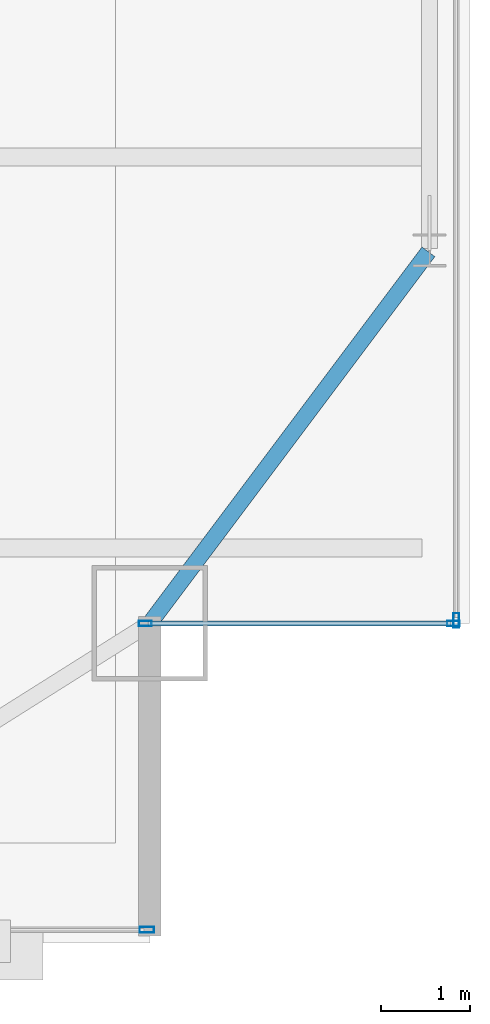
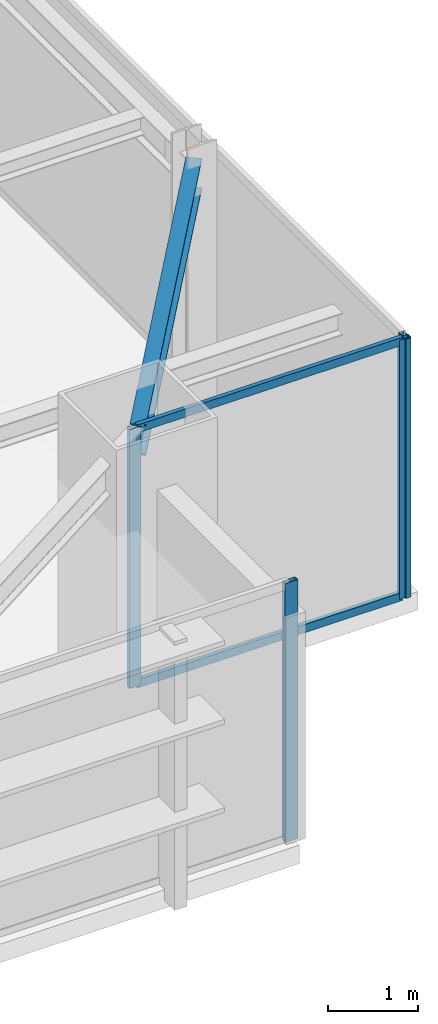
# One storey, part 15 of 29: 6 members, 1 beam, 3 elements without a shape of their own.
"""IFC4 building model written with IfcOpenShell, lengths in metres."""

from ifc_helpers import new_model, si_unit, direction, frame, origin, origin_2d, place, context, subcontext, project, spatial, hollow_rectangle, i_section, extrude, source, transform, mapped, material, layer, layer_set, material_profile, profile_set, type_object, type_shapes, element, aggregate, save


model = new_model("IFC4")

# Units and contexts
model_context = context("Model", 3, precision=1e-05, world=origin(), true_north=direction((0.0, 1.0)))
body_context = subcontext(model_context, "Body", "Model", "MODEL_VIEW")
ifc_project = project(units=[si_unit("LENGTHUNIT", "METRE"), si_unit("AREAUNIT", "SQUARE_METRE"), si_unit("VOLUMEUNIT", "CUBIC_METRE"), si_unit("PLANEANGLEUNIT", "RADIAN"), si_unit("MASSUNIT", "GRAM", prefix="KILO")], contexts=[model_context])

# Site, building, storey
site_placement = place(None, origin())
site = spatial("IfcSite", under=ifc_project, at=site_placement, CompositionType="ELEMENT")
building_placement = place(site_placement, origin())
building = spatial("IfcBuilding", under=site, at=building_placement, Name="Varnel Quay Broadcast Tower", CompositionType="ELEMENT")
storey_placement = place(building_placement, frame((0.0, 0.0, 187.60009765625)))
storey = spatial("IfcBuildingStorey", under=building, at=storey_placement, Name="L46", CompositionType="ELEMENT", Elevation=187.60009765625)

# Beam
ifc_material_1 = material(Name="Structural Steel CSA G40.21 350W", Category="steel")
ifc_material_profile_1 = material_profile(ifc_material_1, i_section(OverallWidth=0.180908203125, OverallDepth=0.4169921875, WebThickness=0.010986328125, FlangeThickness=0.018310546875, FilletRadius=0.011962890625, at=origin_2d()), Name="W410X85")
ifc_profile_set_1 = profile_set([ifc_material_profile_1], Name="Structural Steel CSA G40.21 350W")
beam_type = type_object("IfcBeamType", Name="Beam_W410X85", PredefinedType="SPANDREL", material=ifc_profile_set_1)
shared_shape_1 = source(origin(), body_context, "Body", "SweptSolid", [
    extrude(i_section(OverallWidth=0.180908203125, OverallDepth=0.4169921875, WebThickness=0.010986328125, FlangeThickness=0.018310546875, FilletRadius=0.011962890625, at=origin_2d()), origin(), (0.0, 0.0, 1.0), 5.2099609375),
])
type_shapes(beam_type, [shared_shape_1])
beam_placement = place(storey_placement, frame((57.412109375, 10.81591796875, 3.3115234375), z_axis=(0.6, 0.8, 0.0), x_axis=(-0.8, 0.6, 0.0)))
element("IfcBeam", 1, at=beam_placement, inside=storey, type_object=beam_type, Name="L46 East Spandrel MC-SE-TC-E1", PredefinedType="SPANDREL", context=body_context, shape_type="MappedRepresentation", body=[
    mapped(shared_shape_1, transform((0.0, 0.0, 0.0), x_axis=(1.0, 0.0, 0.0), y_axis=(0.0, 1.0, 0.0), z_axis=(0.0, 0.0, 1.0), scale=1.0)),
])

# Curtain wall, members
ifc_material_2 = material(Name="Anodised Bronze Aluminium 6063-T6", Category="aluminium")
ifc_layer_1 = layer(ifc_material_2, 0.18994140625, Name="Anodised Bronze Aluminium 6063-T6")
ifc_layer_set_1 = layer_set([ifc_layer_1], Name="Anodised Bronze Aluminium 6063-T6")
curtain_wall_type_1 = type_object("IfcCurtainWallType", Name="CW_NotchCorner", PredefinedType="NOTDEFINED", material=ifc_layer_set_1)
curtain_wall_1_placement = place(storey_placement, origin())
curtain_wall_1 = element("IfcCurtainWall", 2, at=curtain_wall_1_placement, inside=storey, type_object=curtain_wall_type_1, Name="L46 SE Notch Curtain Wall", PredefinedType="NOTDEFINED")
ifc_material_profile_2 = material_profile(ifc_material_2, hollow_rectangle(XDim=0.054931640625, YDim=0.110107421875, WallThickness=0.0029296875, at=origin_2d()), Name="ALU55X110X3")
ifc_profile_set_2 = profile_set([ifc_material_profile_2], Name="Anodised Bronze Aluminium 6063-T6")
member_type_1 = type_object("IfcMemberType", Name="Tran_CWS-04", PredefinedType="USERDEFINED", material=ifc_profile_set_2)
shared_shape_2 = source(origin(), body_context, "Body", "SweptSolid", [
    extrude(hollow_rectangle(XDim=0.054931640625, YDim=0.110107421875, WallThickness=0.0029296875, at=origin_2d()), origin(), (0.0, 0.0, 1.0), 3.41015625),
])
type_shapes(member_type_1, [shared_shape_2])
member_1_placement = place(storey_placement, frame((57.3798828125, 10.800048828125, 0.02734375), z_axis=(1.0, 0.0, 0.0), x_axis=(0.0, 1.0, 0.0)))
member_1 = element("IfcMember", 3, at=member_1_placement, type_object=member_type_1, Name="CWS-04 transom 1.1", ObjectType="TRANSOM", PredefinedType="USERDEFINED", context=body_context, shape_type="MappedRepresentation", body=[
    mapped(shared_shape_2, transform((0.0, 0.0, 0.0), x_axis=(1.0, 0.0, 0.0), y_axis=(0.0, 1.0, 0.0), z_axis=(0.0, 0.0, 1.0), scale=1.0)),
])
member_2_placement = place(storey_placement, frame((57.3798828125, 10.800048828125, 3.492431640625), z_axis=(1.0, 0.0, 0.0), x_axis=(0.0, 1.0, 0.0)))
member_2 = element("IfcMember", 4, at=member_2_placement, type_object=member_type_1, Name="CWS-04 transom 1.2", ObjectType="TRANSOM", PredefinedType="USERDEFINED", context=body_context, shape_type="MappedRepresentation", body=[
    mapped(shared_shape_2, transform((0.0, 0.0, 0.0), x_axis=(1.0, 0.0, 0.0), y_axis=(0.0, 1.0, 0.0), z_axis=(0.0, 0.0, 1.0), scale=1.0)),
])
ifc_material_profile_3 = material_profile(ifc_material_2, hollow_rectangle(XDim=0.06005859375, YDim=0.14501953125, WallThickness=0.00341796875, at=origin_2d()), Name="ALU60X145X3.5")
ifc_profile_set_3 = profile_set([ifc_material_profile_3], Name="Anodised Bronze Aluminium 6063-T6")
member_type_2 = type_object("IfcMemberType", Name="Mull_CWS-04", PredefinedType="MULLION", material=ifc_profile_set_3)
shared_shape_3 = source(origin(), body_context, "Body", "SweptSolid", [
    extrude(hollow_rectangle(XDim=0.06005859375, YDim=0.14501953125, WallThickness=0.00341796875, at=origin_2d()), origin(), (0.0, 0.0, 1.0), 3.52001953125),
])
type_shapes(member_type_2, [shared_shape_3])
member_3_placement = place(storey_placement, frame((57.35009765625, 10.800048828125, 0.0), z_axis=(0.0, 0.0, 1.0), x_axis=(0.0, 1.0, 0.0)))
member_3 = element("IfcMember", 5, at=member_3_placement, type_object=member_type_2, Name="CWS-04 mullion 1", PredefinedType="MULLION", context=body_context, shape_type="MappedRepresentation", body=[
    mapped(shared_shape_3, transform((0.0, 0.0, 0.0), x_axis=(1.0, 0.0, 0.0), y_axis=(0.0, 1.0, 0.0), z_axis=(0.0, 0.0, 1.0), scale=1.0)),
])
member_4_placement = place(storey_placement, frame((60.820068359375, 10.800048828125, 0.0), z_axis=(0.0, 0.0, 1.0), x_axis=(0.0, 1.0, 0.0)))
member_4 = element("IfcMember", 6, at=member_4_placement, type_object=member_type_2, Name="CWS-04 mullion 2", PredefinedType="MULLION", context=body_context, shape_type="MappedRepresentation", body=[
    mapped(shared_shape_3, transform((0.0, 0.0, 0.0), x_axis=(1.0, 0.0, 0.0), y_axis=(0.0, 1.0, 0.0), z_axis=(0.0, 0.0, 1.0), scale=1.0)),
])
aggregate(curtain_wall_1, [member_3, member_4, member_1, member_2])

# Curtain wall, member
ifc_layer_2 = layer(ifc_material_2, 0.18994140625, Name="Anodised Bronze Aluminium 6063-T6")
ifc_layer_set_2 = layer_set([ifc_layer_2], Name="Anodised Bronze Aluminium 6063-T6")
curtain_wall_type_2 = type_object("IfcCurtainWallType", Name="CW_UpperTower", PredefinedType="NOTDEFINED", material=ifc_layer_set_2)
curtain_wall_2_placement = place(storey_placement, origin())
curtain_wall_2 = element("IfcCurtainWall", 7, at=curtain_wall_2_placement, inside=storey, type_object=curtain_wall_type_2, Name="L46 South Unitised Curtain Wall 1", PredefinedType="NOTDEFINED")
ifc_material_profile_4 = material_profile(ifc_material_2, hollow_rectangle(XDim=0.06494140625, YDim=0.1650390625, WallThickness=0.00341796875, at=origin_2d()), Name="ALU65X165X3.5")
ifc_profile_set_4 = profile_set([ifc_material_profile_4], Name="Anodised Bronze Aluminium 6063-T6")
member_type_3 = type_object("IfcMemberType", Name="Mull_CWS-03", PredefinedType="MULLION", material=ifc_profile_set_4)
shared_shape_4 = source(origin(), body_context, "Body", "SweptSolid", [
    extrude(hollow_rectangle(XDim=0.06494140625, YDim=0.1650390625, WallThickness=0.00341796875, at=origin_2d()), origin(), (0.0, 0.0, 1.0), 3.52001953125),
])
type_shapes(member_type_3, [shared_shape_4])
member_5_placement = place(storey_placement, frame((57.367431640625, 7.35009765625, 0.0), z_axis=(0.0, 0.0, 1.0), x_axis=(0.0, 1.0, 0.0)))
member_5 = element("IfcMember", 8, at=member_5_placement, type_object=member_type_3, Name="CWS-03 mullion 5", PredefinedType="MULLION", context=body_context, shape_type="MappedRepresentation", body=[
    mapped(shared_shape_4, transform((0.0, 0.0, 0.0), x_axis=(1.0, 0.0, 0.0), y_axis=(0.0, 1.0, 0.0), z_axis=(0.0, 0.0, 1.0), scale=1.0)),
])
aggregate(curtain_wall_2, [member_5])

curtain_wall_3_placement = place(storey_placement, origin())
curtain_wall_3 = element("IfcCurtainWall", 9, at=curtain_wall_3_placement, inside=storey, type_object=curtain_wall_type_2, Name="L46 East Unitised Curtain Wall", PredefinedType="NOTDEFINED")
member_6_placement = place(storey_placement, frame((60.85009765625, 10.83251953125, 0.0), z_axis=(0.0, 0.0, 1.0), x_axis=(-1.0, 0.0, 0.0)))
member_6 = element("IfcMember", 10, at=member_6_placement, type_object=member_type_3, Name="CWS-03 mullion 1", PredefinedType="MULLION", context=body_context, shape_type="MappedRepresentation", body=[
    mapped(shared_shape_4, transform((0.0, 0.0, 0.0), x_axis=(1.0, 0.0, 0.0), y_axis=(0.0, 1.0, 0.0), z_axis=(0.0, 0.0, 1.0), scale=1.0)),
])
aggregate(curtain_wall_3, [member_6])

save(model, "model.ifc")
